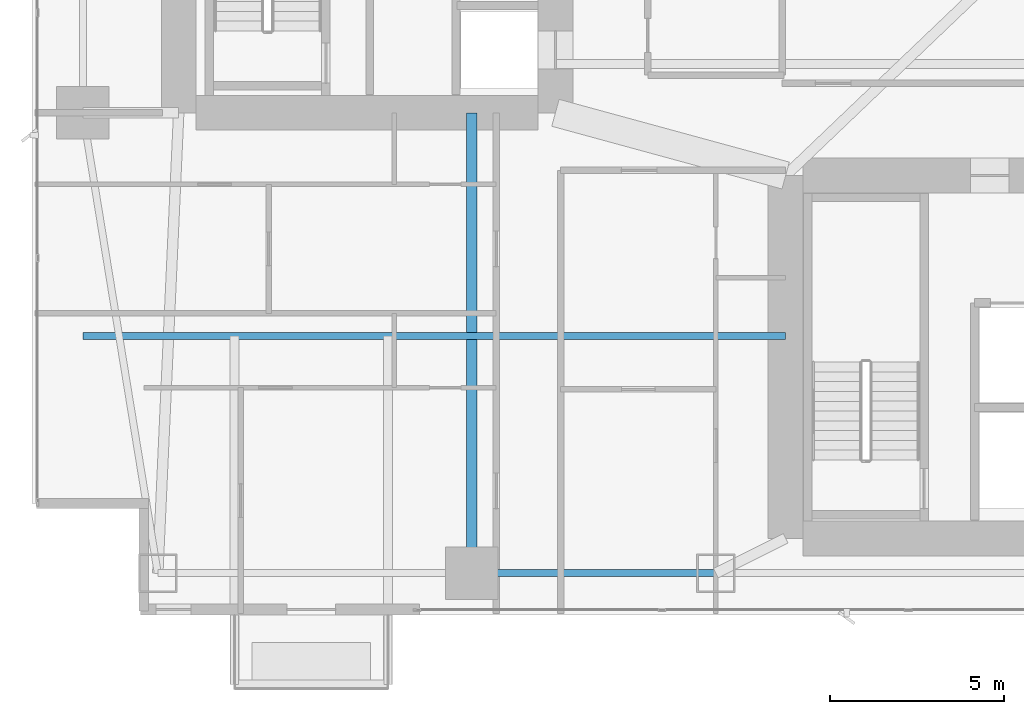
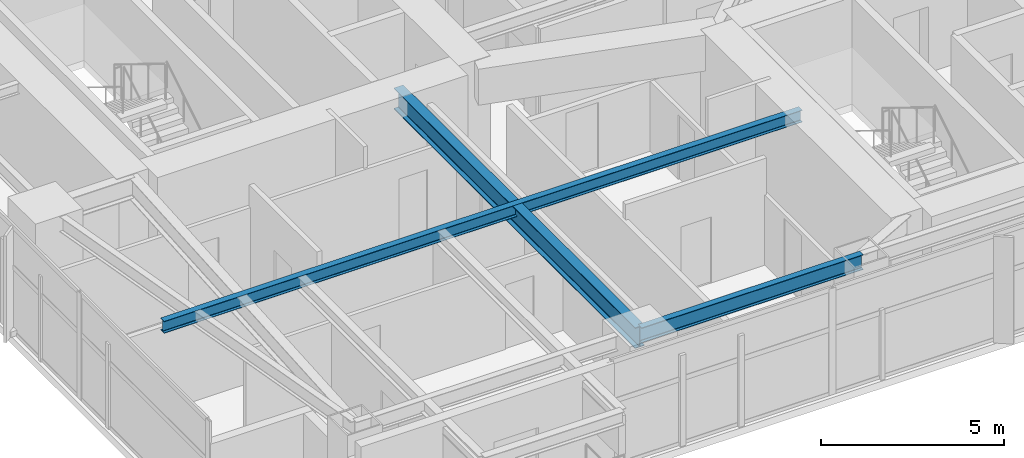
# One storey, part 5 of 29: 3 beams.
"""IFC4 building model written with IfcOpenShell, lengths in metres."""

import ifcopenshell
import ifcopenshell.guid

model = None  # the IFC model being written
_history = None  # IfcOwnerHistory: only IFC2X3 demands one
_inside = {}  # id of a spatial element -> (the spatial element, [elements in it])
_under = {}  # id of a project, library or spatial element -> (it, [spatial elements below it])
_declared = {}  # id of a project -> (the project, [libraries it declares])
_typed = {}  # id of a type object -> (the type object, [elements of that type])
_made_of = {}  # id of a material, layer set ... -> (it, [elements and type objects made of it])


def new_model(schema):
    """Start an empty IFC model of exactly this schema.

    Asked for "IFC4X3", IfcOpenShell would pick the latest addendum, in which some entities
    have other attributes; the version numbers below select the first issue.
    IFC2X3 requires an IfcOwnerHistory on every rooted entity: one is made here for all.
    """
    global model, _history
    if schema == "IFC4X3":
        model = ifcopenshell.file(schema_version=(4, 3, 0, 0))
    else:
        model = ifcopenshell.file(schema=schema)
    _inside.clear()
    _under.clear()
    _declared.clear()
    _typed.clear()
    _made_of.clear()
    _history = None
    if model.schema == "IFC2X3":
        org = make("IfcOrganization", Name="unknown")
        user = make(
            "IfcPersonAndOrganization",
            ThePerson=make("IfcPerson", FamilyName="unknown"),
            TheOrganization=org,
        )
        app = make(
            "IfcApplication",
            ApplicationDeveloper=org,
            Version="unknown",
            ApplicationFullName="unknown",
            ApplicationIdentifier="unknown",
        )
        _history = make(
            "IfcOwnerHistory",
            OwningUser=user,
            OwningApplication=app,
            ChangeAction="ADDED",
            CreationDate=0,
        )
    return model


def make(cls, **values):
    """One entity of the class cls with the attributes given. An attribute that is None is left unset."""
    return model.create_entity(
        cls, **{name: value for name, value in values.items() if value is not None}
    )


def rooted(cls, **values):
    """An entity with a GlobalId (a new one), such as an element, a storey or a relation."""
    return make(cls, GlobalId=ifcopenshell.guid.new(), OwnerHistory=_history, **values)


def si_unit(unit_type, name, prefix=None):
    """IfcSIUnit, for example si_unit("LENGTHUNIT", "METRE", prefix="MILLI")."""
    return make("IfcSIUnit", UnitType=unit_type, Prefix=prefix, Name=name)


def assignment(units):
    """IfcUnitAssignment: the units of a project."""
    return None if units is None else make("IfcUnitAssignment", Units=units)


def point(xyz):
    """IfcCartesianPoint."""
    return None if xyz is None else make("IfcCartesianPoint", Coordinates=xyz)


def direction(xyz):
    """IfcDirection."""
    return None if xyz is None else make("IfcDirection", DirectionRatios=xyz)


def frame(location, z_axis=None, x_axis=None):
    """IfcAxis2Placement3D, a coordinate frame: its origin and axes. An axis left out is left unset."""
    return make(
        "IfcAxis2Placement3D",
        Location=point(location),
        Axis=direction(z_axis),
        RefDirection=direction(x_axis),
    )


def frame_2d(location, x_axis=None):
    """IfcAxis2Placement2D, a coordinate frame in the plane: its origin and x axis."""
    return make(
        "IfcAxis2Placement2D", Location=point(location), RefDirection=direction(x_axis)
    )


def origin():
    """The frame at (0, 0, 0) with its axes left unset."""
    return frame((0.0, 0.0, 0.0))


def origin_2d():
    """The frame at (0, 0) in the plane with its x axis left unset."""
    return frame_2d((0.0, 0.0))


def place(relative_to, where):
    """IfcLocalPlacement: puts the frame where relative to a parent placement (None: the world)."""
    return make(
        "IfcLocalPlacement", PlacementRelTo=relative_to, RelativePlacement=where
    )


def context(
    kind, dimensions, precision=None, world=None, true_north=None, identifier=None
):
    """IfcGeometricRepresentationContext, for example the 3D "Model" context."""
    return make(
        "IfcGeometricRepresentationContext",
        ContextIdentifier=identifier,
        ContextType=kind,
        CoordinateSpaceDimension=dimensions,
        Precision=precision,
        WorldCoordinateSystem=world,
        TrueNorth=true_north,
    )


def subcontext(parent, identifier, kind, view, scale=None):
    """IfcGeometricRepresentationSubContext, for example "Body" below "Model"."""
    return make(
        "IfcGeometricRepresentationSubContext",
        ContextIdentifier=identifier,
        ContextType=kind,
        ParentContext=parent,
        TargetScale=scale,
        TargetView=view,
    )


def project(units=None, contexts=None):
    """IfcProject with its units and contexts."""
    return rooted(
        "IfcProject",
        Name="project",
        RepresentationContexts=contexts,
        UnitsInContext=assignment(units),
    )


def spatial(cls, under=None, at=None, **own):
    """A site, building, storey or space (cls), placed at a placement, below another one or the project."""
    s = rooted(cls, ObjectPlacement=at, **own)
    if under is not None:
        _under.setdefault(under.id(), (under, []))[1].append(s)
    return s


def profile(cls, at=None, kind="AREA", **sizes):
    """A parametric profile (cls). Its sizes go by their IFC names, for example OverallWidth=200.0."""
    return make(cls, ProfileType=kind, Position=at, **sizes)


def i_section(**sizes):
    """IfcIShapeProfileDef."""
    return profile("IfcIShapeProfileDef", **sizes)


def extrude(swept, where, along, depth):
    """IfcExtrudedAreaSolid: the profile swept, set in the frame where, extruded along a direction by depth."""
    return make(
        "IfcExtrudedAreaSolid",
        SweptArea=swept,
        Position=where,
        ExtrudedDirection=direction(along),
        Depth=depth,
    )


def shape(context_of_items, identifier, shape_type, items):
    """IfcShapeRepresentation: the items that make up one representation, for example the "Body"."""
    return make(
        "IfcShapeRepresentation",
        ContextOfItems=context_of_items,
        RepresentationIdentifier=identifier,
        RepresentationType=shape_type,
        Items=items,
    )


def material(Name=None, Category=None):
    """IfcMaterial."""
    return make("IfcMaterial", Name=Name, Category=Category)


def material_profile(
    of_material, cross_section, Name=None, Category=None, Priority=None
):
    """IfcMaterialProfile: a cross section and its material."""
    return make(
        "IfcMaterialProfile",
        Name=Name,
        Material=of_material,
        Profile=cross_section,
        Priority=Priority,
        Category=Category,
    )


def profile_set(profiles, Name=None, composite=None):
    """IfcMaterialProfileSet."""
    return make(
        "IfcMaterialProfileSet",
        Name=Name,
        MaterialProfiles=profiles,
        CompositeProfile=composite,
    )


def made_of(thing, what):
    """Note that an element or type object is made of a material, layer set ...; save() writes the relation."""
    if what is not None:
        _made_of.setdefault(what.id(), (what, []))[1].append(thing)
    return thing


def type_object(cls, material=None, **own):
    """A type object (cls), such as IfcWallType, which elements share."""
    return made_of(rooted(cls, **own), material)


def element(
    cls,
    number,
    at=None,
    inside=None,
    cuts=None,
    type_object=None,
    material=None,
    context=None,
    identifier="Body",
    shape_type=None,
    held_by="IfcProductDefinitionShape",
    body=None,
    shapes=None,
    **own,
):
    """One element of the class cls, such as IfcWall. Its Tag is "e" and its number.

    at: its placement. inside: the storey or other place that contains it. cuts: it is an
    opening in that element (IfcRelVoidsElement). A single representation is given by context,
    identifier, shape_type and body (its items); several are given by shapes. held_by: the class
    of the entity that holds the representations. save() writes the other relations.
    """
    e = rooted(cls, Tag="e%d" % number, ObjectPlacement=at, **own)
    if body is not None:
        shapes = [shape(context, identifier, shape_type, body)]
    if shapes is not None:
        e.Representation = make(held_by, Representations=shapes)
    if inside is not None:
        _inside.setdefault(inside.id(), (inside, []))[1].append(e)
    if cuts is not None:
        rooted(
            "IfcRelVoidsElement", RelatingBuildingElement=cuts, RelatedOpeningElement=e
        )
    if type_object is not None:
        _typed.setdefault(type_object.id(), (type_object, []))[1].append(e)
    return made_of(e, material)


def aggregate(whole, parts):
    """IfcRelAggregates: a whole, such as a stair, and the parts it consists of."""
    return rooted("IfcRelAggregates", RelatingObject=whole, RelatedObjects=parts)


def save(model, path):
    """Write the relations noted so far, then the file.

    IfcRelAggregates (storeys below a building ...), IfcRelContainedInSpatialStructure (elements
    in a storey), IfcRelDefinesByType, IfcRelAssociatesMaterial and IfcRelDeclares: one each for
    every whole, place, type object, material and project.
    """
    for whole, parts in _under.values():
        aggregate(whole, parts)
    for where, things in _inside.values():
        rooted(
            "IfcRelContainedInSpatialStructure",
            RelatedElements=things,
            RelatingStructure=where,
        )
    for kind, things in _typed.values():
        rooted("IfcRelDefinesByType", RelatedObjects=things, RelatingType=kind)
    for what, things in _made_of.values():
        rooted("IfcRelAssociatesMaterial", RelatedObjects=things, RelatingMaterial=what)
    for by, libraries in _declared.values():
        rooted("IfcRelDeclares", RelatingContext=by, RelatedDefinitions=libraries)
    model.write(path)


model = new_model("IFC4")

# Units and contexts
model_context = context("Model", 3, precision=1e-05, world=origin(), true_north=direction((0.0, 1.0)))
body_context = subcontext(model_context, "Body", "Model", "MODEL_VIEW")
ifc_project = project(units=[si_unit("LENGTHUNIT", "METRE"), si_unit("AREAUNIT", "SQUARE_METRE"), si_unit("VOLUMEUNIT", "CUBIC_METRE"), si_unit("PLANEANGLEUNIT", "RADIAN"), si_unit("MASSUNIT", "GRAM", prefix="KILO")], contexts=[model_context])

# Site, building, storey
site_placement = place(None, origin())
site = spatial("IfcSite", under=ifc_project, at=site_placement, CompositionType="ELEMENT")
building_placement = place(site_placement, origin())
building = spatial("IfcBuilding", under=site, at=building_placement, Name="Calvorn Quay Hotel", CompositionType="ELEMENT")
storey_placement = place(building_placement, frame((0.0, 0.0, 81.199951171875)))
storey = spatial("IfcBuildingStorey", under=building, at=storey_placement, Name="L19", CompositionType="ELEMENT", Elevation=81.199951171875)

# Beams
ifc_material_1 = material(Name="Steel Q390GJC", Category="steel")
ifc_material_profile_1 = material_profile(ifc_material_1, i_section(OverallWidth=0.300048828125, OverallDepth=0.699951171875, WebThickness=0.012939453125, FlangeThickness=0.02392578125, FilletRadius=0.02392578125, at=origin_2d()), Name="HN700x300x13x24")
ifc_profile_set_1 = profile_set([ifc_material_profile_1], Name="Steel Q390GJC")
beam_type_1 = type_object("IfcBeamType", Name="BM-GIRD-MAIN", PredefinedType="BEAM", material=ifc_profile_set_1)
beam_1_placement = place(storey_placement, frame((12.60009765625, 3.60009765625, 3.18994140625), z_axis=(0.0, 1.0, 0.0), x_axis=(-1.0, 0.0, 0.0)))
element("IfcBeam", 1, at=beam_1_placement, inside=storey, type_object=beam_type_1, Name="Beam BG-L19-S1", PredefinedType="BEAM", context=body_context, shape_type="SweptSolid", body=[
    extrude(i_section(OverallWidth=0.300048828125, OverallDepth=0.699951171875, WebThickness=0.012939453125, FlangeThickness=0.02392578125, FilletRadius=0.02392578125, at=origin_2d()), origin(), (0.0, 0.0, 1.0), 13.199951171875),
])
ifc_material_2 = material(Name="Steel Q355B", Category="steel")
ifc_material_profile_2 = material_profile(ifc_material_2, i_section(OverallWidth=0.199951171875, OverallDepth=0.39990234375, WebThickness=0.008056640625, FlangeThickness=0.012939453125, FilletRadius=0.01611328125, at=origin_2d()), Name="HN400x200x8x13")
ifc_profile_set_2 = profile_set([ifc_material_profile_2], Name="Steel Q355B")
beam_type_2 = type_object("IfcBeamType", Name="BM-JOIST-TYP", PredefinedType="JOIST", material=ifc_profile_set_2)
beam_2_placement = place(storey_placement, frame((1.449951171875, 10.39990234375, 3.340087890625), z_axis=(1.0, 0.0, 0.0), x_axis=(0.0, 1.0, 0.0)))
element("IfcBeam", 2, at=beam_2_placement, inside=storey, type_object=beam_type_2, Name="Beam BJ-L19-W1", PredefinedType="JOIST", context=body_context, shape_type="SweptSolid", body=[
    extrude(i_section(OverallWidth=0.199951171875, OverallDepth=0.39990234375, WebThickness=0.008056640625, FlangeThickness=0.012939453125, FilletRadius=0.01611328125, at=origin_2d()), origin(), (0.0, 0.0, 1.0), 20.150146484375),
])
ifc_material_3 = material(Name="Steel Q355B", Category="steel")
ifc_material_profile_3 = material_profile(ifc_material_3, i_section(OverallWidth=0.199951171875, OverallDepth=0.5, WebThickness=0.010009765625, FlangeThickness=0.01611328125, FilletRadius=0.01611328125, at=origin_2d()), Name="HN500x200x10x16")
ifc_profile_set_3 = profile_set([ifc_material_profile_3], Name="Steel Q355B")
beam_type_3 = type_object("IfcBeamType", Name="BM-SPANDREL-Z1", PredefinedType="SPANDREL", material=ifc_profile_set_3)
beam_3_placement = place(storey_placement, frame((12.60009765625, 3.60009765625, 3.2900390625), z_axis=(1.0, 0.0, 0.0), x_axis=(0.0, 1.0, 0.0)))
element("IfcBeam", 3, at=beam_3_placement, inside=storey, type_object=beam_type_3, Name="Beam BSP-L19-S2", PredefinedType="SPANDREL", context=body_context, shape_type="SweptSolid", body=[
    extrude(i_section(OverallWidth=0.199951171875, OverallDepth=0.5, WebThickness=0.010009765625, FlangeThickness=0.01611328125, FilletRadius=0.01611328125, at=origin_2d()), origin(), (0.0, 0.0, 1.0), 7.0),
])

save(model, "model.ifc")
